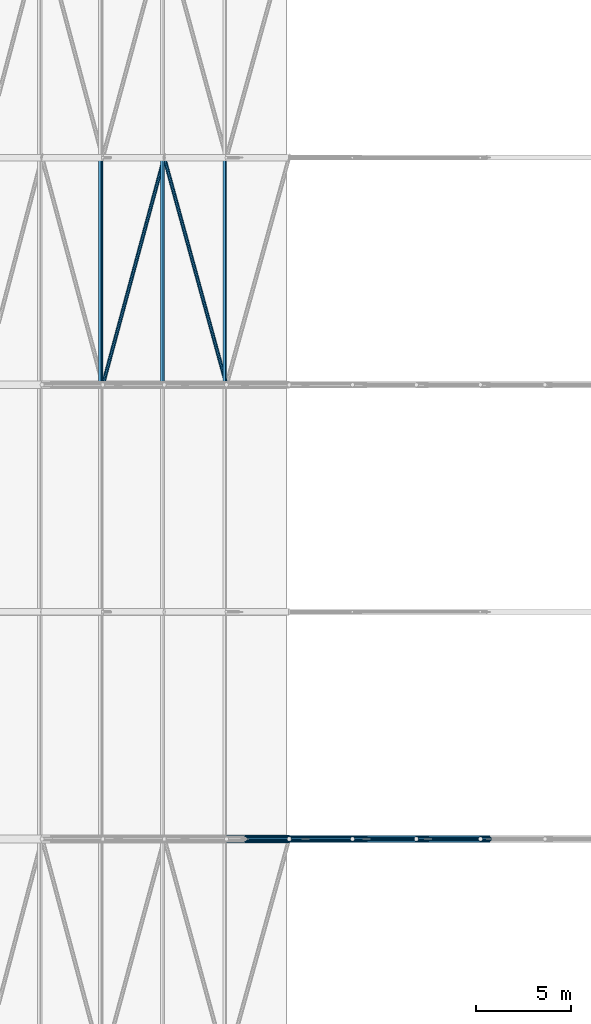
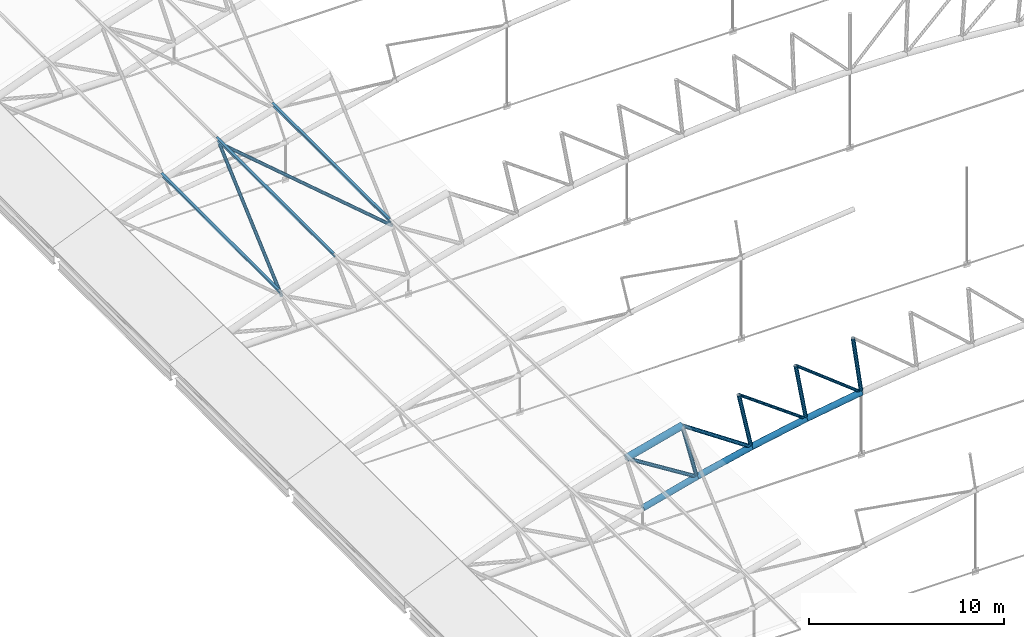
# One storey, part 59 of 321: 18 members.
"""IFC4 building model written with IfcOpenShell, lengths in metres."""

from ifc_helpers import new_model, si_unit, direction, frame, origin, origin_2d, place, context, subcontext, project, spatial, hollow_circle, i_section, extrude, material, material_profile, profile_set, type_object, element, save


model = new_model("IFC4")

# Units and contexts
model_context = context("Model", 3, precision=1e-05, world=origin(), true_north=direction((0.0, 1.0)))
body_context = subcontext(model_context, "Body", "Model", "MODEL_VIEW")
ifc_project = project(units=[si_unit("LENGTHUNIT", "METRE"), si_unit("AREAUNIT", "SQUARE_METRE"), si_unit("VOLUMEUNIT", "CUBIC_METRE"), si_unit("PLANEANGLEUNIT", "RADIAN"), si_unit("MASSUNIT", "GRAM", prefix="KILO")], contexts=[model_context])

# Site, building, storey
site_placement = place(None, origin())
site = spatial("IfcSite", under=ifc_project, at=site_placement, CompositionType="ELEMENT")
building_placement = place(site_placement, origin())
building = spatial("IfcBuilding", under=site, at=building_placement, Name="Ravi Spectrum Wholesale Market", CompositionType="ELEMENT")
storey_placement = place(building_placement, frame((0.0, 0.0, 10.800048828125)))
storey = spatial("IfcBuildingStorey", under=building, at=storey_placement, Name="L02", CompositionType="ELEMENT", Elevation=10.800048828125)

# Members
ifc_material_1 = material(Name="Steel S355", Category="steel")
ifc_material_profile_1 = material_profile(ifc_material_1, hollow_circle(Radius=0.084228515625, WallThickness=0.00634765625, at=origin_2d()))
ifc_profile_set_1 = profile_set([ifc_material_profile_1], Name="Steel S355")
member_type_1 = type_object("IfcMemberType", Name="CHS 168.3x6.3 brace", PredefinedType="BRACE", material=ifc_profile_set_1)
for number, where, z_axis, x_axis, name in (
    (1, (49.563720703125, 78.0, 6.27734375), (0.808703958366, 0.0, -0.588215868303), (0.0, 1.0, 0.0), "H1-MB-L02-401"),
    (2, (52.9326171875, 78.0, 6.92431640625), (0.787944778548, 0.0, -0.615745910225), (0.0, 1.0, 0.0), "H1-MB-L02-402"),
):
    element("IfcMember", number, at=place(storey_placement, frame(where, z_axis=z_axis, x_axis=x_axis)), inside=storey, type_object=member_type_1, Name=name, PredefinedType="BRACE", context=body_context, shape_type="SweptSolid", body=[
        extrude(hollow_circle(Radius=0.084228515625, WallThickness=0.00634765625, at=origin_2d()), origin(), (0.0, 0.0, 1.0), 4.9296875),
    ])
ifc_material_2 = material(Name="Steel S355", Category="steel")
ifc_material_profile_2 = material_profile(ifc_material_2, hollow_circle(Radius=0.096923828125, WallThickness=0.00634765625, at=origin_2d()))
ifc_profile_set_2 = profile_set([ifc_material_profile_2], Name="Steel S355")
member_type_2 = type_object("IfcMemberType", Name="CHS 193.7x6.3 brace", PredefinedType="BRACE", material=ifc_profile_set_2)
for number, where, z_axis, x_axis, name in (
    (3, (36.37158203125, 102.0, 2.541015625), (0.259597548591, 0.961475300154, 0.0904121671), (-0.965429280275, 0.260665120006, 0.0), "H1-MB-L02-1634"),
    (4, (39.611572265625, 114.0, 3.66943359375), (0.263726012754, -0.961479081656, 0.077502036978), (0.964379749157, 0.264521642622, 0.0), "H1-MB-L02-1635"),
):
    element("IfcMember", number, at=place(storey_placement, frame(where, z_axis=z_axis, x_axis=x_axis)), inside=storey, type_object=member_type_2, Name=name, PredefinedType="BRACE", context=body_context, shape_type="SweptSolid", body=[
        extrude(hollow_circle(Radius=0.096923828125, WallThickness=0.00634765625, at=origin_2d()), origin(), (0.0, 0.0, 1.0), 12.480712890625),
    ])
ifc_material_3 = material(Name="Steel S355", Category="steel")
ifc_material_profile_3 = material_profile(ifc_material_3, hollow_circle(Radius=0.109619140625, WallThickness=0.008056640625, at=origin_2d()))
ifc_profile_set_3 = profile_set([ifc_material_profile_3], Name="Steel S355")
member_type_3 = type_object("IfcMemberType", Name="CHS 219.1x8 brace", PredefinedType="BRACE", material=ifc_profile_set_3)
for number, where, z_axis, x_axis, name in (
    (5, (42.903076171875, 78.0, 4.63671875), (0.847368909482, 0.0, -0.531004643335), (0.0, 1.0, 0.0), "H1-MB-L02-399"),
    (6, (46.21923828125, 78.0, 5.514404296875), (0.828544259915, 0.0, -0.559923574573), (0.0, 1.0, 0.0), "H1-MB-L02-400"),
):
    element("IfcMember", number, at=place(storey_placement, frame(where, z_axis=z_axis, x_axis=x_axis)), inside=storey, type_object=member_type_3, Name=name, PredefinedType="BRACE", context=body_context, shape_type="SweptSolid", body=[
        extrude(hollow_circle(Radius=0.109619140625, WallThickness=0.008056640625, at=origin_2d()), origin(), (0.0, 0.0, 1.0), 4.9296875),
    ])
ifc_material_4 = material(Name="Steel S355", Category="steel")
ifc_material_profile_4 = material_profile(ifc_material_4, hollow_circle(Radius=0.109619140625, WallThickness=0.008056640625, at=origin_2d()))
ifc_profile_set_4 = profile_set([ifc_material_profile_4], Name="Steel S355")
member_type_4 = type_object("IfcMemberType", Name="CHS 219.1x8 post", PredefinedType="POST", material=ifc_profile_set_4)
member_1_placement = place(storey_placement, frame((46.21923828125, 78.0, 5.514404296875), z_axis=(0.239199072456, 0.0, -0.970970547306), x_axis=(0.0, 1.0, 0.0)))
element("IfcMember", 7, at=member_1_placement, inside=storey, type_object=member_type_4, Name="H1-MB-L02-377", PredefinedType="POST", context=body_context, shape_type="SweptSolid", body=[
    extrude(hollow_circle(Radius=0.109619140625, WallThickness=0.008056640625, at=origin_2d()), origin(), (0.0, 0.0, 1.0), 3.599853515625),
])
for number, where, z_axis, x_axis, name in (
    (8, (49.563720703125, 78.0, 6.27734375), (0.205549060287, 0.0, -0.978646812602), (0.0, 1.0, 0.0), "H1-MB-L02-378"),
    (9, (52.9326171875, 78.0, 6.92431640625), (0.171575852457, 0.0, -0.985170912509), (0.0, 1.0, 0.0), "H1-MB-L02-379"),
):
    element("IfcMember", number, at=place(storey_placement, frame(where, z_axis=z_axis, x_axis=x_axis)), inside=storey, type_object=member_type_4, Name=name, PredefinedType="POST", context=body_context, shape_type="SweptSolid", body=[
        extrude(hollow_circle(Radius=0.109619140625, WallThickness=0.008056640625, at=origin_2d()), origin(), (0.0, 0.0, 1.0), 3.60009765625),
    ])
member_2_placement = place(storey_placement, frame((56.321533203125, 78.0, 7.45458984375), z_axis=(0.137603486835, 0.0, -0.990487395382), x_axis=(0.0, 1.0, 0.0)))
element("IfcMember", 10, at=member_2_placement, inside=storey, type_object=member_type_4, Name="H1-MB-L02-380", PredefinedType="POST", context=body_context, shape_type="SweptSolid", body=[
    extrude(hollow_circle(Radius=0.109619140625, WallThickness=0.008056640625, at=origin_2d()), origin(), (0.0, 0.0, 1.0), 3.599853515625),
])
ifc_material_5 = material(Name="Steel S355", Category="steel")
ifc_material_profile_5 = material_profile(ifc_material_5, hollow_circle(Radius=0.177734375, WallThickness=0.012451171875, at=origin_2d()))
ifc_profile_set_5 = profile_set([ifc_material_profile_5], Name="Steel S355")
member_type_5 = type_object("IfcMemberType", Name="CHS 355.6x12.5 chord", PredefinedType="CHORD", material=ifc_profile_set_5)
for number, where, z_axis, x_axis, name in (
    (11, (43.88427734375, 78.0, 1.173095703125), (0.966710063159, 0.0, 0.255874292938), (0.0, 1.0, 0.0), "H1-MB-L02-353"),
    (12, (47.080322265625, 78.0, 2.01904296875), (0.974967923727, 0.0, 0.222345559217), (0.0, 1.0, 0.0), "H1-MB-L02-354"),
):
    element("IfcMember", number, at=place(storey_placement, frame(where, z_axis=z_axis, x_axis=x_axis)), inside=storey, type_object=member_type_5, Name=name, PredefinedType="CHORD", context=body_context, shape_type="SweptSolid", body=[
        extrude(hollow_circle(Radius=0.177734375, WallThickness=0.012451171875, at=origin_2d()), origin(), (0.0, 0.0, 1.0), 3.30615234375),
    ])
member_3_placement = place(storey_placement, frame((50.3037109375, 78.0, 2.754150390625), z_axis=(0.982051718756, 0.0, 0.188611828072), x_axis=(0.0, 1.0, 0.0)))
element("IfcMember", 13, at=member_3_placement, inside=storey, type_object=member_type_5, Name="H1-MB-L02-355", PredefinedType="CHORD", context=body_context, shape_type="SweptSolid", body=[
    extrude(hollow_circle(Radius=0.177734375, WallThickness=0.012451171875, at=origin_2d()), origin(), (0.0, 0.0, 1.0), 3.305908203125),
])
member_4_placement = place(storey_placement, frame((53.55029296875, 78.0, 3.377685546875), z_axis=(0.987973992944, 0.0, 0.154620145084), x_axis=(0.0, 1.0, 0.0)))
element("IfcMember", 14, at=member_4_placement, inside=storey, type_object=member_type_5, Name="H1-MB-L02-356", PredefinedType="CHORD", context=body_context, shape_type="SweptSolid", body=[
    extrude(hollow_circle(Radius=0.177734375, WallThickness=0.012451171875, at=origin_2d()), origin(), (0.0, 0.0, 1.0), 3.306396484375),
])
ifc_material_6 = material(Name="Steel S355", Category="steel")
ifc_material_profile_6 = material_profile(ifc_material_6, hollow_circle(Radius=0.203125, WallThickness=0.01611328125, at=origin_2d()))
ifc_profile_set_6 = profile_set([ifc_material_profile_6], Name="Steel S355")
member_type_6 = type_object("IfcMemberType", Name="CHS 406.4x16 chord", PredefinedType="CHORD", material=ifc_profile_set_6)
member_5_placement = place(storey_placement, frame((42.903076171875, 78.0, 4.63671875), z_axis=(0.966714030155, 0.0, 0.255859304896), x_axis=(0.0, 1.0, 0.0)))
element("IfcMember", 15, at=member_5_placement, inside=storey, type_object=member_type_6, Name="H1-MB-L02-329", PredefinedType="CHORD", context=body_context, shape_type="SweptSolid", body=[
    extrude(hollow_circle(Radius=0.203125, WallThickness=0.01611328125, at=origin_2d()), origin(), (0.0, 0.0, 1.0), 3.430419921875),
])
ifc_material_7 = material(Name="Steel S355", Category="steel")
ifc_material_profile_7 = material_profile(ifc_material_7, i_section(OverallWidth=0.135009765625, OverallDepth=0.27001953125, WebThickness=0.006591796875, FlangeThickness=0.01025390625, at=origin_2d()))
ifc_profile_set_7 = profile_set([ifc_material_profile_7], Name="Steel S355")
member_type_7 = type_object("IfcMemberType", Name="IPE 270 purlin", PredefinedType="PURLIN", material=ifc_profile_set_7)
for number, where, z_axis, x_axis, name in (
    (16, (36.25732421875, 102.0, 2.859375), (0.0, 1.0, 0.0), (-0.941079849597, 0.0, -0.338184441811), "H1-MB-L02-1386"),
    (17, (39.515869140625, 102.0, 3.96728515625), (0.0, 1.0, 0.0), (-0.952184497174, 0.0, -0.305523621577), "H1-MB-L02-1387"),
    (18, (42.81103515625, 102.0, 4.962158203125), (0.0, 1.0, 0.0), (-0.96215600485, 0.0, -0.272499215286), "H1-MB-L02-1388"),
):
    element("IfcMember", number, at=place(storey_placement, frame(where, z_axis=z_axis, x_axis=x_axis)), inside=storey, type_object=member_type_7, Name=name, PredefinedType="PURLIN", context=body_context, shape_type="SweptSolid", body=[
        extrude(i_section(OverallWidth=0.135009765625, OverallDepth=0.27001953125, WebThickness=0.006591796875, FlangeThickness=0.01025390625, at=origin_2d()), origin(), (0.0, 0.0, 1.0), 12.0),
    ])

save(model, "model.ifc")
